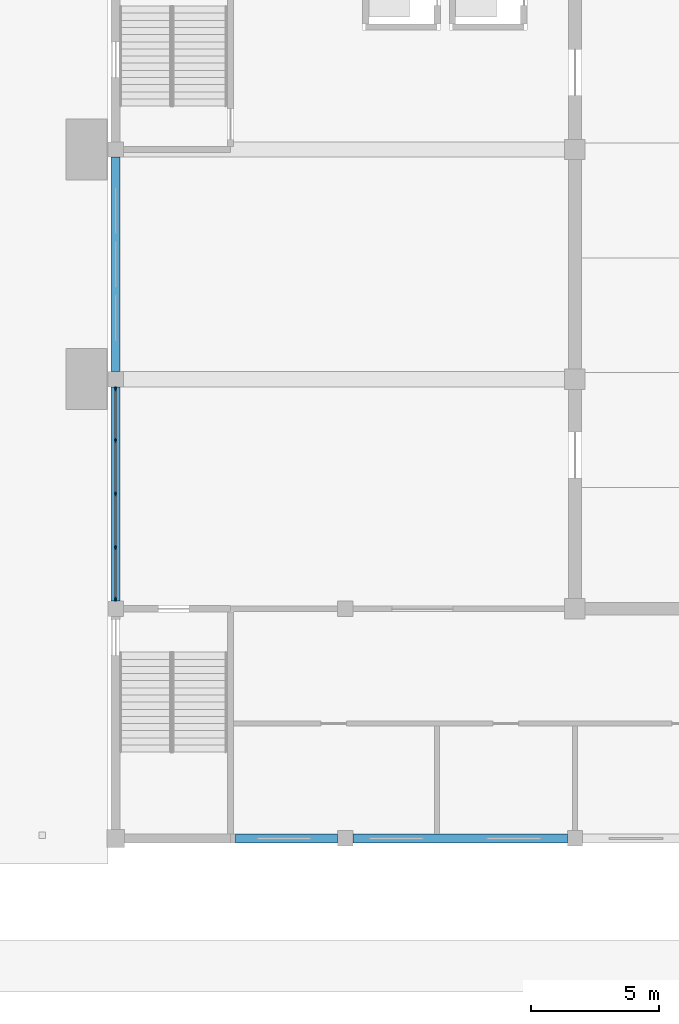
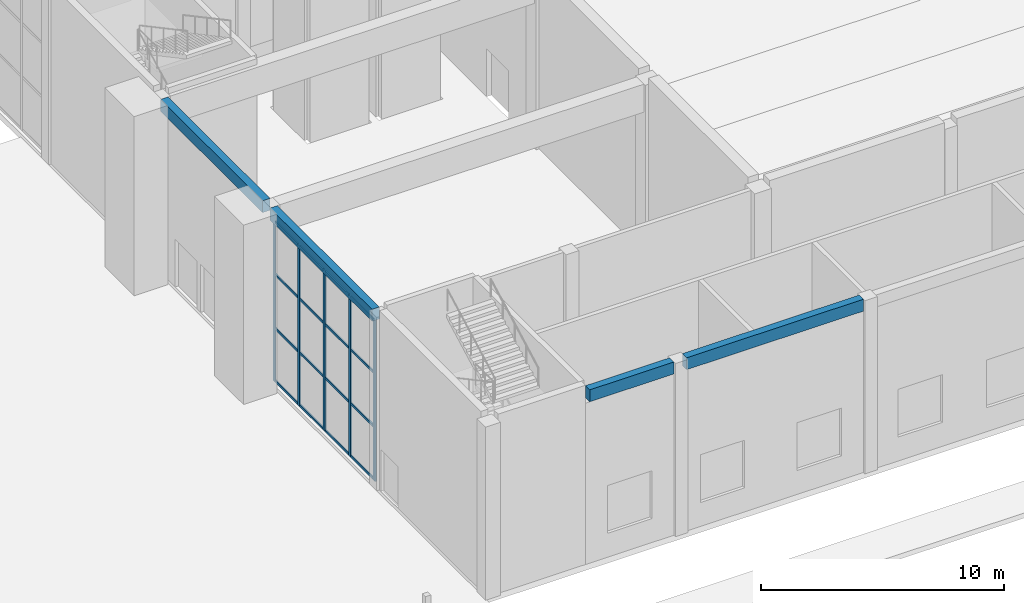
# One storey, part 10 of 44: 21 members, 4 beams, 1 element without a shape of its own.
"""IFC4 building model written with IfcOpenShell, lengths in metres."""

from ifc_helpers import new_model, si_unit, direction, frame, origin, origin_2d, place, context, subcontext, project, spatial, rectangle, extrude, material, material_profile, profile_set, type_object, element, aggregate, save


model = new_model("IFC4")

# Units and contexts
model_context = context("Model", 3, precision=1e-05, world=origin(), true_north=direction((0.0, 1.0)))
body_context = subcontext(model_context, "Body", "Model", "MODEL_VIEW")
ifc_project = project(units=[si_unit("LENGTHUNIT", "METRE"), si_unit("AREAUNIT", "SQUARE_METRE"), si_unit("VOLUMEUNIT", "CUBIC_METRE"), si_unit("PLANEANGLEUNIT", "RADIAN"), si_unit("MASSUNIT", "GRAM", prefix="KILO")], contexts=[model_context])

# Site, building, storey
site_placement = place(None, origin())
site = spatial("IfcSite", under=ifc_project, at=site_placement, CompositionType="ELEMENT")
building_placement = place(site_placement, origin())
building = spatial("IfcBuilding", under=site, at=building_placement, Name="Firuza Court", CompositionType="ELEMENT")
storey_placement = place(building_placement, origin())
storey = spatial("IfcBuildingStorey", under=building, at=storey_placement, Name="L00", CompositionType="ELEMENT", Elevation=0.0)

# Curtain wall, members
ifc_material_1 = material(Name="Aluminium", Category="aluminium")
curtain_wall_type = type_object("IfcCurtainWallType", Name="CW6 FOYER CURTAIN WALL", PredefinedType="NOTDEFINED", material=ifc_material_1)
curtain_wall_placement = place(storey_placement, origin())
curtain_wall = element("IfcCurtainWall", 1, at=curtain_wall_placement, inside=storey, type_object=curtain_wall_type, Name="CW6 foyer curtain wall 1", PredefinedType="NOTDEFINED")
ifc_material_2 = material(Name="Aluminium", Category="aluminium")
ifc_material_profile_1 = material_profile(ifc_material_2, rectangle(XDim=0.06005859375, YDim=0.159912109375, at=origin_2d()), Name="MULLION 60X160")
ifc_profile_set_1 = profile_set([ifc_material_profile_1], Name="Aluminium")
member_type_1 = type_object("IfcMemberType", Name="CW6 MULLION 60X160", PredefinedType="MULLION", material=ifc_profile_set_1)
member_1_placement = place(storey_placement, frame((90.0, 0.3798828125, 0.0), z_axis=(0.0, 0.0, 1.0), x_axis=(-1.0, 0.0, 0.0)))
member_1 = element("IfcMember", 2, at=member_1_placement, type_object=member_type_1, Name="CW6 mullion 1", PredefinedType="MULLION", context=body_context, shape_type="SweptSolid", body=[
    extrude(rectangle(XDim=0.06005859375, YDim=0.159912109375, at=origin_2d()), origin(), (0.0, 0.0, 1.0), 8.10009765625),
])
member_2_placement = place(storey_placement, frame((90.0, 2.39990234375, 0.0), z_axis=(0.0, 0.0, 1.0), x_axis=(-1.0, 0.0, 0.0)))
member_2 = element("IfcMember", 3, at=member_2_placement, type_object=member_type_1, Name="CW6 mullion 2", PredefinedType="MULLION", context=body_context, shape_type="SweptSolid", body=[
    extrude(rectangle(XDim=0.06005859375, YDim=0.159912109375, at=origin_2d()), origin(), (0.0, 0.0, 1.0), 8.10009765625),
])
member_3_placement = place(storey_placement, frame((90.0, 4.5, 0.0), z_axis=(0.0, 0.0, 1.0), x_axis=(-1.0, 0.0, 0.0)))
member_3 = element("IfcMember", 4, at=member_3_placement, type_object=member_type_1, Name="CW6 mullion 3", PredefinedType="MULLION", context=body_context, shape_type="SweptSolid", body=[
    extrude(rectangle(XDim=0.06005859375, YDim=0.159912109375, at=origin_2d()), origin(), (0.0, 0.0, 1.0), 8.10009765625),
])
member_4_placement = place(storey_placement, frame((90.0, 6.60009765625, 0.0), z_axis=(0.0, 0.0, 1.0), x_axis=(-1.0, 0.0, 0.0)))
member_4 = element("IfcMember", 5, at=member_4_placement, type_object=member_type_1, Name="CW6 mullion 4", PredefinedType="MULLION", context=body_context, shape_type="SweptSolid", body=[
    extrude(rectangle(XDim=0.06005859375, YDim=0.159912109375, at=origin_2d()), origin(), (0.0, 0.0, 1.0), 8.10009765625),
])
member_5_placement = place(storey_placement, frame((90.0, 8.6201171875, 0.0), z_axis=(0.0, 0.0, 1.0), x_axis=(-1.0, 0.0, 0.0)))
member_5 = element("IfcMember", 6, at=member_5_placement, type_object=member_type_1, Name="CW6 mullion 5", PredefinedType="MULLION", context=body_context, shape_type="SweptSolid", body=[
    extrude(rectangle(XDim=0.06005859375, YDim=0.159912109375, at=origin_2d()), origin(), (0.0, 0.0, 1.0), 8.10009765625),
])
ifc_material_3 = material(Name="Aluminium", Category="aluminium")
ifc_material_profile_2 = material_profile(ifc_material_3, rectangle(XDim=0.06005859375, YDim=0.1201171875, at=origin_2d()), Name="TRANSOM 60X120")
ifc_profile_set_2 = profile_set([ifc_material_profile_2], Name="Aluminium")
member_type_2 = type_object("IfcMemberType", Name="CW6 TRANSOM 60X120", PredefinedType="USERDEFINED", material=ifc_profile_set_2)
member_6_placement = place(storey_placement, frame((90.0, 0.4599609375, 0.06005859375), z_axis=(0.0, 1.0, 0.0), x_axis=(-1.0, 0.0, 0.0)))
member_6 = element("IfcMember", 7, at=member_6_placement, type_object=member_type_2, Name="CW6 transom 1.1", ObjectType="TRANSOM", PredefinedType="USERDEFINED", context=body_context, shape_type="SweptSolid", body=[
    extrude(rectangle(XDim=0.06005859375, YDim=0.1201171875, at=origin_2d()), origin(), (0.0, 0.0, 1.0), 1.860107421875),
])
member_7_placement = place(storey_placement, frame((90.0, 0.4599609375, 2.699951171875), z_axis=(0.0, 1.0, 0.0), x_axis=(-1.0, 0.0, 0.0)))
member_7 = element("IfcMember", 8, at=member_7_placement, type_object=member_type_2, Name="CW6 transom 1.2", ObjectType="TRANSOM", PredefinedType="USERDEFINED", context=body_context, shape_type="SweptSolid", body=[
    extrude(rectangle(XDim=0.06005859375, YDim=0.1201171875, at=origin_2d()), origin(), (0.0, 0.0, 1.0), 1.860107421875),
])
member_8_placement = place(storey_placement, frame((90.0, 0.4599609375, 5.39990234375), z_axis=(0.0, 1.0, 0.0), x_axis=(-1.0, 0.0, 0.0)))
member_8 = element("IfcMember", 9, at=member_8_placement, type_object=member_type_2, Name="CW6 transom 1.3", ObjectType="TRANSOM", PredefinedType="USERDEFINED", context=body_context, shape_type="SweptSolid", body=[
    extrude(rectangle(XDim=0.06005859375, YDim=0.1201171875, at=origin_2d()), origin(), (0.0, 0.0, 1.0), 1.860107421875),
])
member_9_placement = place(storey_placement, frame((90.0, 0.4599609375, 8.0400390625), z_axis=(0.0, 1.0, 0.0), x_axis=(-1.0, 0.0, 0.0)))
member_9 = element("IfcMember", 10, at=member_9_placement, type_object=member_type_2, Name="CW6 transom 1.4", ObjectType="TRANSOM", PredefinedType="USERDEFINED", context=body_context, shape_type="SweptSolid", body=[
    extrude(rectangle(XDim=0.06005859375, YDim=0.1201171875, at=origin_2d()), origin(), (0.0, 0.0, 1.0), 1.860107421875),
])
member_10_placement = place(storey_placement, frame((90.0, 2.47998046875, 0.06005859375), z_axis=(0.0, 1.0, 0.0), x_axis=(-1.0, 0.0, 0.0)))
member_10 = element("IfcMember", 11, at=member_10_placement, type_object=member_type_2, Name="CW6 transom 2.1", ObjectType="TRANSOM", PredefinedType="USERDEFINED", context=body_context, shape_type="SweptSolid", body=[
    extrude(rectangle(XDim=0.06005859375, YDim=0.1201171875, at=origin_2d()), origin(), (0.0, 0.0, 1.0), 1.93994140625),
])
member_11_placement = place(storey_placement, frame((90.0, 2.47998046875, 2.699951171875), z_axis=(0.0, 1.0, 0.0), x_axis=(-1.0, 0.0, 0.0)))
member_11 = element("IfcMember", 12, at=member_11_placement, type_object=member_type_2, Name="CW6 transom 2.2", ObjectType="TRANSOM", PredefinedType="USERDEFINED", context=body_context, shape_type="SweptSolid", body=[
    extrude(rectangle(XDim=0.06005859375, YDim=0.1201171875, at=origin_2d()), origin(), (0.0, 0.0, 1.0), 1.93994140625),
])
member_12_placement = place(storey_placement, frame((90.0, 2.47998046875, 5.39990234375), z_axis=(0.0, 1.0, 0.0), x_axis=(-1.0, 0.0, 0.0)))
member_12 = element("IfcMember", 13, at=member_12_placement, type_object=member_type_2, Name="CW6 transom 2.3", ObjectType="TRANSOM", PredefinedType="USERDEFINED", context=body_context, shape_type="SweptSolid", body=[
    extrude(rectangle(XDim=0.06005859375, YDim=0.1201171875, at=origin_2d()), origin(), (0.0, 0.0, 1.0), 1.93994140625),
])
member_13_placement = place(storey_placement, frame((90.0, 2.47998046875, 8.0400390625), z_axis=(0.0, 1.0, 0.0), x_axis=(-1.0, 0.0, 0.0)))
member_13 = element("IfcMember", 14, at=member_13_placement, type_object=member_type_2, Name="CW6 transom 2.4", ObjectType="TRANSOM", PredefinedType="USERDEFINED", context=body_context, shape_type="SweptSolid", body=[
    extrude(rectangle(XDim=0.06005859375, YDim=0.1201171875, at=origin_2d()), origin(), (0.0, 0.0, 1.0), 1.93994140625),
])
member_14_placement = place(storey_placement, frame((90.0, 4.580078125, 0.06005859375), z_axis=(0.0, 1.0, 0.0), x_axis=(-1.0, 0.0, 0.0)))
member_14 = element("IfcMember", 15, at=member_14_placement, type_object=member_type_2, Name="CW6 transom 3.1", ObjectType="TRANSOM", PredefinedType="USERDEFINED", context=body_context, shape_type="SweptSolid", body=[
    extrude(rectangle(XDim=0.06005859375, YDim=0.1201171875, at=origin_2d()), origin(), (0.0, 0.0, 1.0), 1.93994140625),
])
member_15_placement = place(storey_placement, frame((90.0, 4.580078125, 2.699951171875), z_axis=(0.0, 1.0, 0.0), x_axis=(-1.0, 0.0, 0.0)))
member_15 = element("IfcMember", 16, at=member_15_placement, type_object=member_type_2, Name="CW6 transom 3.2", ObjectType="TRANSOM", PredefinedType="USERDEFINED", context=body_context, shape_type="SweptSolid", body=[
    extrude(rectangle(XDim=0.06005859375, YDim=0.1201171875, at=origin_2d()), origin(), (0.0, 0.0, 1.0), 1.93994140625),
])
member_16_placement = place(storey_placement, frame((90.0, 4.580078125, 5.39990234375), z_axis=(0.0, 1.0, 0.0), x_axis=(-1.0, 0.0, 0.0)))
member_16 = element("IfcMember", 17, at=member_16_placement, type_object=member_type_2, Name="CW6 transom 3.3", ObjectType="TRANSOM", PredefinedType="USERDEFINED", context=body_context, shape_type="SweptSolid", body=[
    extrude(rectangle(XDim=0.06005859375, YDim=0.1201171875, at=origin_2d()), origin(), (0.0, 0.0, 1.0), 1.93994140625),
])
member_17_placement = place(storey_placement, frame((90.0, 4.580078125, 8.0400390625), z_axis=(0.0, 1.0, 0.0), x_axis=(-1.0, 0.0, 0.0)))
member_17 = element("IfcMember", 18, at=member_17_placement, type_object=member_type_2, Name="CW6 transom 3.4", ObjectType="TRANSOM", PredefinedType="USERDEFINED", context=body_context, shape_type="SweptSolid", body=[
    extrude(rectangle(XDim=0.06005859375, YDim=0.1201171875, at=origin_2d()), origin(), (0.0, 0.0, 1.0), 1.93994140625),
])
member_18_placement = place(storey_placement, frame((90.0, 6.679931640625, 0.06005859375), z_axis=(0.0, 1.0, 0.0), x_axis=(-1.0, 0.0, 0.0)))
member_18 = element("IfcMember", 19, at=member_18_placement, type_object=member_type_2, Name="CW6 transom 4.1", ObjectType="TRANSOM", PredefinedType="USERDEFINED", context=body_context, shape_type="SweptSolid", body=[
    extrude(rectangle(XDim=0.06005859375, YDim=0.1201171875, at=origin_2d()), origin(), (0.0, 0.0, 1.0), 1.860107421875),
])
member_19_placement = place(storey_placement, frame((90.0, 6.679931640625, 2.699951171875), z_axis=(0.0, 1.0, 0.0), x_axis=(-1.0, 0.0, 0.0)))
member_19 = element("IfcMember", 20, at=member_19_placement, type_object=member_type_2, Name="CW6 transom 4.2", ObjectType="TRANSOM", PredefinedType="USERDEFINED", context=body_context, shape_type="SweptSolid", body=[
    extrude(rectangle(XDim=0.06005859375, YDim=0.1201171875, at=origin_2d()), origin(), (0.0, 0.0, 1.0), 1.860107421875),
])
member_20_placement = place(storey_placement, frame((90.0, 6.679931640625, 5.39990234375), z_axis=(0.0, 1.0, 0.0), x_axis=(-1.0, 0.0, 0.0)))
member_20 = element("IfcMember", 21, at=member_20_placement, type_object=member_type_2, Name="CW6 transom 4.3", ObjectType="TRANSOM", PredefinedType="USERDEFINED", context=body_context, shape_type="SweptSolid", body=[
    extrude(rectangle(XDim=0.06005859375, YDim=0.1201171875, at=origin_2d()), origin(), (0.0, 0.0, 1.0), 1.860107421875),
])
member_21_placement = place(storey_placement, frame((90.0, 6.679931640625, 8.0400390625), z_axis=(0.0, 1.0, 0.0), x_axis=(-1.0, 0.0, 0.0)))
member_21 = element("IfcMember", 22, at=member_21_placement, type_object=member_type_2, Name="CW6 transom 4.4", ObjectType="TRANSOM", PredefinedType="USERDEFINED", context=body_context, shape_type="SweptSolid", body=[
    extrude(rectangle(XDim=0.06005859375, YDim=0.1201171875, at=origin_2d()), origin(), (0.0, 0.0, 1.0), 1.860107421875),
])
aggregate(curtain_wall, [member_1, member_2, member_3, member_4, member_5, member_6, member_7, member_8, member_9, member_10, member_11, member_12, member_13, member_14, member_15, member_16, member_17, member_18, member_19, member_20, member_21])

# Beams
ifc_material_4 = material(Name="Concrete C40/50", Category="concrete")
ifc_material_profile_3 = material_profile(ifc_material_4, rectangle(XDim=0.35009765625, YDim=0.60009765625, at=origin_2d()), Name="RC 350X600")
ifc_profile_set_3 = profile_set([ifc_material_profile_3], Name="Concrete C40/50")
beam_type_1 = type_object("IfcBeamType", Name="RC RING BEAM 350X600", PredefinedType="BEAM", material=ifc_profile_set_3)
beam_1_placement = place(storey_placement, frame((94.699951171875, -9.0, 8.39990234375), z_axis=(1.0, 0.0, 0.0), x_axis=(0.0, 1.0, 0.0)))
element("IfcBeam", 23, at=beam_1_placement, inside=storey, type_object=beam_type_1, Name="Edge beam S1.1 L00", PredefinedType="BEAM", context=body_context, shape_type="SweptSolid", body=[
    extrude(rectangle(XDim=0.35009765625, YDim=0.60009765625, at=origin_2d()), origin(), (0.0, 0.0, 1.0), 4.0),
])
for number, where, z_axis, x_axis, name in (
    (24, (99.300048828125, -9.0, 8.39990234375), (1.0, 0.0, 0.0), (0.0, 1.0, 0.0), "Edge beam S3.1 L00"),
    (25, (90.0, 9.300048828125, 8.39990234375), (0.0, 1.0, 0.0), (-1.0, 0.0, 0.0), "Edge beam W5.1 L00"),
):
    element("IfcBeam", number, at=place(storey_placement, frame(where, z_axis=z_axis, x_axis=x_axis)), inside=storey, type_object=beam_type_1, Name=name, PredefinedType="BEAM", context=body_context, shape_type="SweptSolid", body=[
        extrude(rectangle(XDim=0.35009765625, YDim=0.60009765625, at=origin_2d()), origin(), (0.0, 0.0, 1.0), 8.39990234375),
    ])
ifc_material_5 = material(Name="Concrete C40/50", Category="concrete")
ifc_material_profile_4 = material_profile(ifc_material_5, rectangle(XDim=0.35009765625, YDim=0.60009765625, at=origin_2d()), Name="RC 350X600")
ifc_profile_set_4 = profile_set([ifc_material_profile_4], Name="Concrete C40/50")
beam_type_2 = type_object("IfcBeamType", Name="RC SPANDREL BEAM 350X600", PredefinedType="BEAM", material=ifc_profile_set_4)
beam_2_placement = place(storey_placement, frame((90.0, 0.300048828125, 8.39990234375), z_axis=(0.0, 1.0, 0.0), x_axis=(-1.0, 0.0, 0.0)))
element("IfcBeam", 26, at=beam_2_placement, inside=storey, type_object=beam_type_2, Name="Edge beam W3.1 L00", PredefinedType="BEAM", context=body_context, shape_type="SweptSolid", body=[
    extrude(rectangle(XDim=0.35009765625, YDim=0.60009765625, at=origin_2d()), origin(), (0.0, 0.0, 1.0), 8.39990234375),
])

save(model, "model.ifc")
